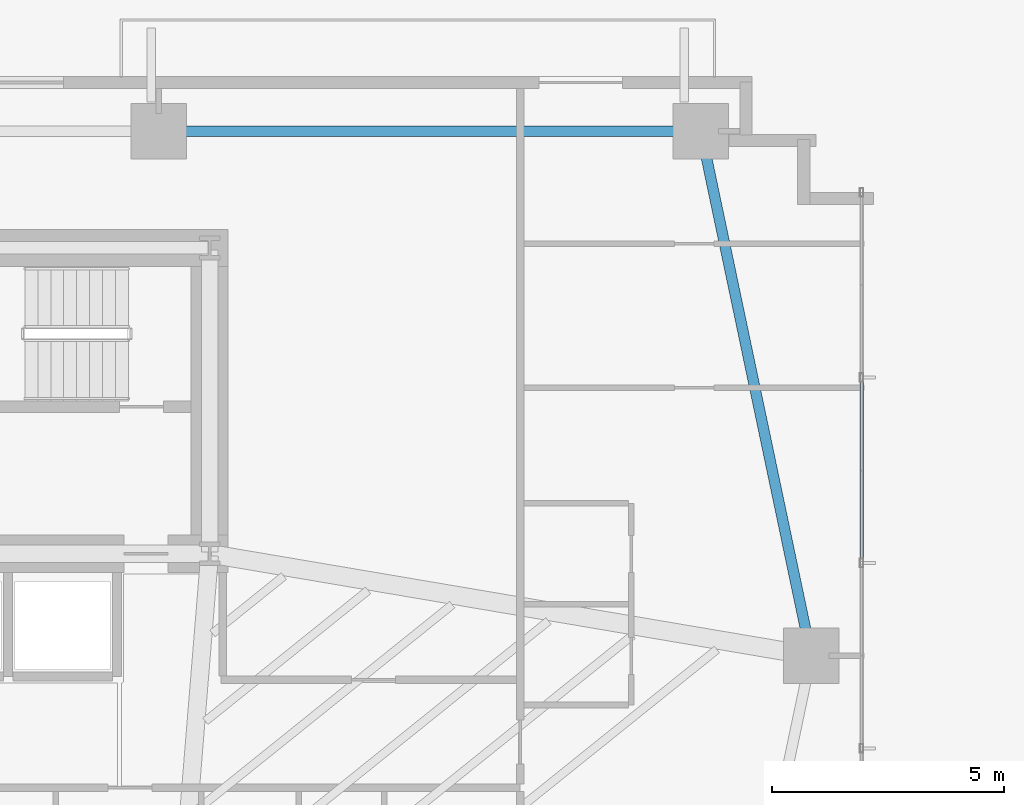
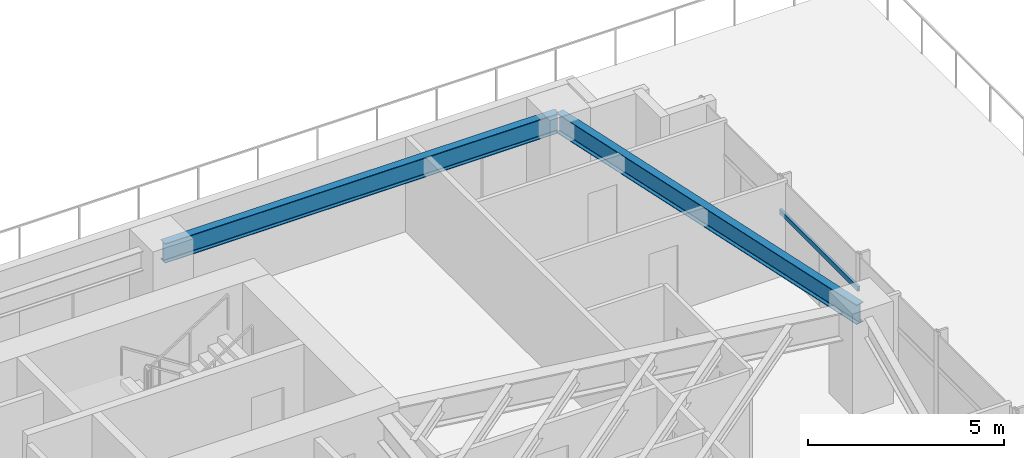
# One storey, part 16 of 26: 2 beams, 1 member, 1 element without a shape of its own.
"""IFC4 building model written with IfcOpenShell, lengths in metres."""

from ifc_helpers import new_model, si_unit, direction, frame, origin, origin_2d, place, context, subcontext, project, spatial, hollow_rectangle, i_section, extrude, source, transform, mapped, material, material_profile, profile_set, type_object, type_shapes, element, aggregate, save


model = new_model("IFC4")

# Units and contexts
model_context = context("Model", 3, precision=1e-05, world=origin(), true_north=direction((0.0, 1.0)))
body_context = subcontext(model_context, "Body", "Model", "MODEL_VIEW")
ifc_project = project(units=[si_unit("LENGTHUNIT", "METRE"), si_unit("AREAUNIT", "SQUARE_METRE"), si_unit("VOLUMEUNIT", "CUBIC_METRE"), si_unit("PLANEANGLEUNIT", "RADIAN"), si_unit("MASSUNIT", "GRAM", prefix="KILO")], contexts=[model_context])

# Site, building, storey
site_placement = place(None, origin())
site = spatial("IfcSite", under=ifc_project, at=site_placement, CompositionType="ELEMENT")
building_placement = place(site_placement, origin())
building = spatial("IfcBuilding", under=site, at=building_placement, Name="Astriad Promenade Condominiums", CompositionType="ELEMENT")
storey_placement = place(building_placement, frame((0.0, 0.0, 23.0)))
storey = spatial("IfcBuildingStorey", under=building, at=storey_placement, Name="L05", CompositionType="ELEMENT", Elevation=23.0)

# Beams
ifc_material_1 = material(Name="Steel ASTM A992 Grade 50", Category="steel")
ifc_material_profile_1 = material_profile(ifc_material_1, i_section(OverallWidth=0.22900390625, OverallDepth=0.612060546875, WebThickness=0.011962890625, FlangeThickness=0.01953125, FilletRadius=0.017822265625, at=origin_2d()), Name="W24X84")
ifc_profile_set_1 = profile_set([ifc_material_profile_1], Name="Steel ASTM A992 Grade 50")
beam_type = type_object("IfcBeamType", Name="STEEL SPANDREL BEAM W24X84", PredefinedType="SPANDREL", material=ifc_profile_set_1)
shared_shape_1 = source(origin(), body_context, "Body", "SweptSolid", [
    extrude(i_section(OverallWidth=0.22900390625, OverallDepth=0.612060546875, WebThickness=0.011962890625, FlangeThickness=0.01953125, FilletRadius=0.017822265625, at=origin_2d()), origin(), (0.0, 0.0, 1.0), 11.619873046875),
])
beam_1_placement = place(storey_placement, frame((56.159912109375, 26.52001953125, 2.634033203125), z_axis=(-1.0, 0.0, 0.0), x_axis=(0.0, -1.0, 0.0)))
element("IfcBeam", 1, at=beam_1_placement, inside=storey, type_object=beam_type, Name="Perimeter Spandrel Beam SP-N4-L05", PredefinedType="SPANDREL", context=body_context, shape_type="MappedRepresentation", body=[
    mapped(shared_shape_1, transform((0.0, 0.0, 0.0), scale=1.0)),
])
shared_shape_2 = source(origin(), body_context, "Body", "SweptSolid", [
    extrude(i_section(OverallWidth=0.22900390625, OverallDepth=0.612060546875, WebThickness=0.011962890625, FlangeThickness=0.01953125, FilletRadius=0.017822265625, at=origin_2d()), origin(), (0.0, 0.0, 1.0), 11.48779296875),
])
type_shapes(beam_type, [shared_shape_1, shared_shape_2])
beam_2_placement = place(storey_placement, frame((58.57177734375, 15.239013671875, 2.634033203125), z_axis=(-0.205743776427, 0.978605895374, 0.0), x_axis=(-0.978605895374, -0.205743776427, 0.0)))
element("IfcBeam", 2, at=beam_2_placement, inside=storey, type_object=beam_type, Name="Perimeter Spandrel Beam SP-E2-L05", PredefinedType="SPANDREL", context=body_context, shape_type="MappedRepresentation", body=[
    mapped(shared_shape_2, transform((0.0, 0.0, 0.0), scale=1.0)),
])

# Curtain wall, member
ifc_material_2 = material(Name="Anodised aluminium Black Dark Glass Unitised", Category="aluminium")
curtain_wall_type = type_object("IfcCurtainWallType", Name="CW-B1-DARK", PredefinedType="USERDEFINED", material=ifc_material_2)
curtain_wall_placement = place(storey_placement, origin())
curtain_wall = element("IfcCurtainWall", 3, at=curtain_wall_placement, inside=storey, type_object=curtain_wall_type, Name="CW-L05-E", ObjectType="UNITISED_CURTAIN_WALL", PredefinedType="USERDEFINED")
ifc_material_3 = material(Name="Anodised aluminium 6063-T6 Black", Category="aluminium")
ifc_material_profile_2 = material_profile(ifc_material_3, hollow_rectangle(XDim=0.074951171875, YDim=0.14990234375, WallThickness=0.004150390625, at=origin_2d()), Name="ALU-TRN-75X150")
ifc_profile_set_2 = profile_set([ifc_material_profile_2], Name="Anodised aluminium 6063-T6 Black")
member_type = type_object("IfcMemberType", Name="TRN-ALU-TRN-75X150", PredefinedType="USERDEFINED", material=ifc_profile_set_2)
shared_shape_3 = source(origin(), body_context, "Body", "SweptSolid", [
    extrude(hollow_rectangle(XDim=0.074951171875, YDim=0.14990234375, WallThickness=0.004150390625, at=origin_2d()), origin(), (0.0, 0.0, 1.0), 4.0),
])
type_shapes(member_type, [shared_shape_3])
member_placement = place(storey_placement, frame((59.669921875, 21.199951171875, 1.82275390625), z_axis=(0.0, -1.0, 0.0), x_axis=(1.0, 0.0, 0.0)))
member = element("IfcMember", 4, at=member_placement, type_object=member_type, Name="CW-L05-E-TRN-01-0", ObjectType="TRANSOM", PredefinedType="USERDEFINED", context=body_context, shape_type="MappedRepresentation", body=[
    mapped(shared_shape_3, transform((0.0, 0.0, 0.0), scale=1.0)),
])
aggregate(curtain_wall, [member])

save(model, "model.ifc")
